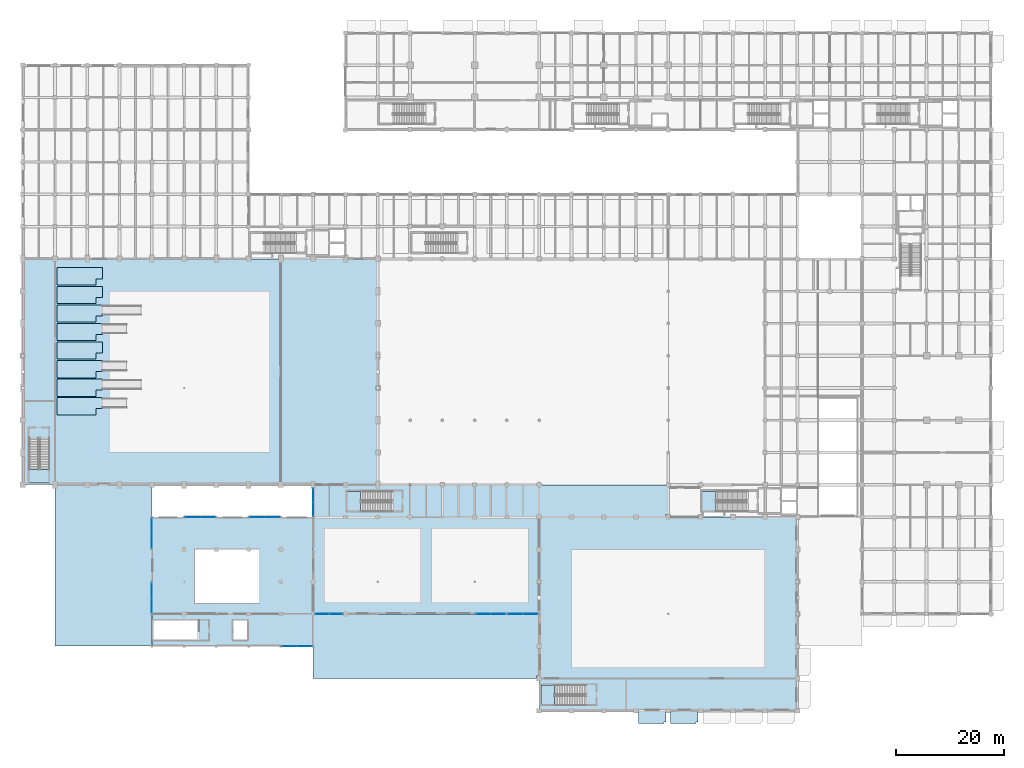
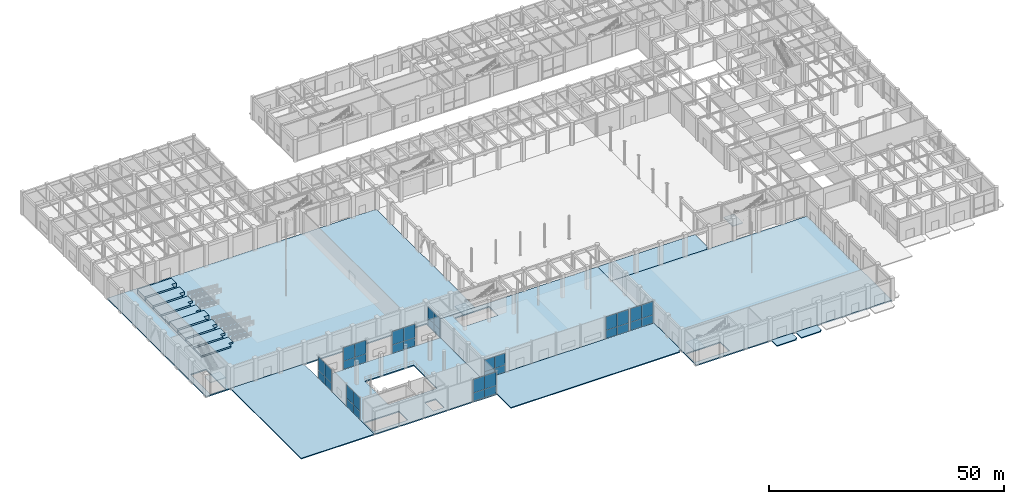
# One storey, part 72 of 106: 36 plates, 21 slabs, 13 elements without a shape of their own.
"""IFC4 building model written with IfcOpenShell, lengths in metres."""

from ifc_helpers import new_model, si_unit, direction, frame, frame_2d, origin, place, context, subcontext, project, spatial, polyline, rectangle, outline, extrude, material, layer, layer_set, type_object, element, aggregate, save


model = new_model("IFC4")

# Units and contexts
model_context = context("Model", 3, precision=1e-05, world=origin(), true_north=direction((0.0, 1.0)))
body_context = subcontext(model_context, "Body", "Model", "MODEL_VIEW")
ifc_project = project(units=[si_unit("LENGTHUNIT", "METRE"), si_unit("AREAUNIT", "SQUARE_METRE"), si_unit("VOLUMEUNIT", "CUBIC_METRE"), si_unit("PLANEANGLEUNIT", "RADIAN"), si_unit("MASSUNIT", "GRAM", prefix="KILO"), si_unit("THERMODYNAMICTEMPERATUREUNIT", "KELVIN"), si_unit("POWERUNIT", "WATT")], contexts=[model_context])

# Site, building, storey
site_placement = place(None, origin())
site = spatial("IfcSite", under=ifc_project, at=site_placement, CompositionType="ELEMENT")
building_placement = place(site_placement, origin())
building = spatial("IfcBuilding", under=site, at=building_placement, Name="Phaisarnlok Congress Hotel", CompositionType="ELEMENT")
storey_placement = place(building_placement, origin())
storey = spatial("IfcBuildingStorey", under=building, at=storey_placement, Name="L00", CompositionType="ELEMENT", Elevation=0.0)

# Curtain wall, plates
ifc_material_1 = material(Name="Thermally Broken Unitised Aluminium & Low-E Glazing", Category="aluminium")
curtain_wall_type_1 = type_object("IfcCurtainWallType", Name="CW-UNIT-01", PredefinedType="NOTDEFINED", material=ifc_material_1)
curtain_wall_1_placement = place(storey_placement, origin())
curtain_wall_1 = element("IfcCurtainWall", 1, at=curtain_wall_1_placement, inside=storey, type_object=curtain_wall_type_1, Name="Unitised curtain wall CW-01 (L00)", PredefinedType="NOTDEFINED")
ifc_material_2 = material(Name="Triple Acoustic Solar-Control Glazing", Category="glass")
ifc_layer_1 = layer(ifc_material_2, 0.035888671875, Name="Triple Acoustic Solar-Control Glazing")
ifc_layer_set_1 = layer_set([ifc_layer_1], Name="Triple Acoustic Solar-Control Glazing")
plate_type = type_object("IfcPlateType", Name="CWP-GLZ-36", PredefinedType="CURTAIN_PANEL", material=ifc_layer_set_1)
plate_1_placement = place(storey_placement, frame((54.449951171875, 18.0, 0.0400390625), z_axis=(0.0, 0.0, 1.0), x_axis=(1.0, 0.0, 0.0)))
plate_1 = element("IfcPlate", 2, at=plate_1_placement, type_object=plate_type, Name="Glazed curtain panel CWP-02", PredefinedType="CURTAIN_PANEL", context=body_context, shape_type="SweptSolid", body=[
    extrude(rectangle(XDim=2.49755859375, YDim=0.028076171875, at=frame_2d((1.248779296875, 0.0))), origin(), (0.0, 0.0, 1.0), 1.86376953125),
])
plate_2_placement = place(storey_placement, frame((54.449951171875, 18.0, 1.90380859375), z_axis=(0.0, 0.0, 1.0), x_axis=(1.0, 0.0, 0.0)))
plate_2 = element("IfcPlate", 3, at=plate_2_placement, type_object=plate_type, Name="Glazed curtain panel CWP-02", PredefinedType="CURTAIN_PANEL", context=body_context, shape_type="SweptSolid", body=[
    extrude(rectangle(XDim=2.49755859375, YDim=0.028076171875, at=frame_2d((1.248779296875, 0.0))), origin(), (0.0, 0.0, 1.0), 3.066162109375),
])
plate_3_placement = place(storey_placement, frame((56.9775390625, 18.0, 0.0400390625), z_axis=(0.0, 0.0, 1.0), x_axis=(1.0, 0.0, 0.0)))
plate_3 = element("IfcPlate", 4, at=plate_3_placement, type_object=plate_type, Name="Glazed curtain panel CWP-02", PredefinedType="CURTAIN_PANEL", context=body_context, shape_type="SweptSolid", body=[
    extrude(rectangle(XDim=2.49755859375, YDim=0.028076171875, at=frame_2d((1.248779296875, 0.0))), origin(), (0.0, 0.0, 1.0), 1.86376953125),
])
plate_4_placement = place(storey_placement, frame((56.9775390625, 18.0, 1.90380859375), z_axis=(0.0, 0.0, 1.0), x_axis=(1.0, 0.0, 0.0)))
plate_4 = element("IfcPlate", 5, at=plate_4_placement, type_object=plate_type, Name="Glazed curtain panel CWP-02", PredefinedType="CURTAIN_PANEL", context=body_context, shape_type="SweptSolid", body=[
    extrude(rectangle(XDim=2.49755859375, YDim=0.028076171875, at=frame_2d((1.248779296875, 0.0))), origin(), (0.0, 0.0, 1.0), 3.066162109375),
])
aggregate(curtain_wall_1, [plate_1, plate_2, plate_3, plate_4])

curtain_wall_type_2 = type_object("IfcCurtainWallType", Name="CW-UNIT-02", PredefinedType="NOTDEFINED", material=ifc_material_1)
curtain_wall_2_placement = place(storey_placement, origin())
curtain_wall_2 = element("IfcCurtainWall", 6, at=curtain_wall_2_placement, inside=storey, type_object=curtain_wall_type_2, Name="Unitised curtain wall CW-02 (L00)", PredefinedType="NOTDEFINED")
plate_5_placement = place(storey_placement, frame((84.228271484375, 18.0, 0.0400390625), z_axis=(0.0, 0.0, 1.0), x_axis=(1.0, 0.0, 0.0)))
plate_5 = element("IfcPlate", 7, at=plate_5_placement, type_object=plate_type, Name="Glazed curtain panel CWP-02", PredefinedType="CURTAIN_PANEL", context=body_context, shape_type="SweptSolid", body=[
    extrude(rectangle(XDim=2.7568359375, YDim=0.028076171875, at=frame_2d((1.37841796875, 0.0))), origin(), (0.0, 0.0, 1.0), 2.14111328125),
])
plate_6_placement = place(storey_placement, frame((84.228271484375, 18.0, 2.18115234375), z_axis=(0.0, 0.0, 1.0), x_axis=(1.0, 0.0, 0.0)))
plate_6 = element("IfcPlate", 8, at=plate_6_placement, type_object=plate_type, Name="Glazed curtain panel CWP-02", PredefinedType="CURTAIN_PANEL", context=body_context, shape_type="SweptSolid", body=[
    extrude(rectangle(XDim=2.7568359375, YDim=0.028076171875, at=frame_2d((1.37841796875, 0.0))), origin(), (0.0, 0.0, 1.0), 3.518798828125),
])
plate_7_placement = place(storey_placement, frame((87.014892578125, 18.0, 0.0400390625), z_axis=(0.0, 0.0, 1.0), x_axis=(1.0, 0.0, 0.0)))
plate_7 = element("IfcPlate", 9, at=plate_7_placement, type_object=plate_type, Name="Glazed curtain panel CWP-02", PredefinedType="CURTAIN_PANEL", context=body_context, shape_type="SweptSolid", body=[
    extrude(rectangle(XDim=2.7568359375, YDim=0.028076171875, at=frame_2d((1.37841796875, 0.0))), origin(), (0.0, 0.0, 1.0), 2.14111328125),
])
plate_8_placement = place(storey_placement, frame((87.014892578125, 18.0, 2.18115234375), z_axis=(0.0, 0.0, 1.0), x_axis=(1.0, 0.0, 0.0)))
plate_8 = element("IfcPlate", 10, at=plate_8_placement, type_object=plate_type, Name="Glazed curtain panel CWP-02", PredefinedType="CURTAIN_PANEL", context=body_context, shape_type="SweptSolid", body=[
    extrude(rectangle(XDim=2.7568359375, YDim=0.028076171875, at=frame_2d((1.37841796875, 0.0))), origin(), (0.0, 0.0, 1.0), 3.518798828125),
])
aggregate(curtain_wall_2, [plate_5, plate_6, plate_7, plate_8])

curtain_wall_3_placement = place(storey_placement, origin())
curtain_wall_3 = element("IfcCurtainWall", 11, at=curtain_wall_3_placement, inside=storey, type_object=curtain_wall_type_2, Name="Unitised curtain wall CW-02 (L00)", PredefinedType="NOTDEFINED")
plate_9_placement = place(storey_placement, frame((90.228271484375, 18.0, 0.0400390625), z_axis=(0.0, 0.0, 1.0), x_axis=(1.0, 0.0, 0.0)))
plate_9 = element("IfcPlate", 12, at=plate_9_placement, type_object=plate_type, Name="Glazed curtain panel CWP-02", PredefinedType="CURTAIN_PANEL", context=body_context, shape_type="SweptSolid", body=[
    extrude(rectangle(XDim=2.7568359375, YDim=0.028076171875, at=frame_2d((1.37841796875, 0.0))), origin(), (0.0, 0.0, 1.0), 2.14111328125),
])
plate_10_placement = place(storey_placement, frame((90.228271484375, 18.0, 2.18115234375), z_axis=(0.0, 0.0, 1.0), x_axis=(1.0, 0.0, 0.0)))
plate_10 = element("IfcPlate", 13, at=plate_10_placement, type_object=plate_type, Name="Glazed curtain panel CWP-02", PredefinedType="CURTAIN_PANEL", context=body_context, shape_type="SweptSolid", body=[
    extrude(rectangle(XDim=2.7568359375, YDim=0.028076171875, at=frame_2d((1.37841796875, 0.0))), origin(), (0.0, 0.0, 1.0), 3.518798828125),
])
plate_11_placement = place(storey_placement, frame((93.014892578125, 18.0, 0.0400390625), z_axis=(0.0, 0.0, 1.0), x_axis=(1.0, 0.0, 0.0)))
plate_11 = element("IfcPlate", 14, at=plate_11_placement, type_object=plate_type, Name="Glazed curtain panel CWP-02", PredefinedType="CURTAIN_PANEL", context=body_context, shape_type="SweptSolid", body=[
    extrude(rectangle(XDim=2.7568359375, YDim=0.028076171875, at=frame_2d((1.37841796875, 0.0))), origin(), (0.0, 0.0, 1.0), 2.14111328125),
])
plate_12_placement = place(storey_placement, frame((93.014892578125, 18.0, 2.18115234375), z_axis=(0.0, 0.0, 1.0), x_axis=(1.0, 0.0, 0.0)))
plate_12 = element("IfcPlate", 15, at=plate_12_placement, type_object=plate_type, Name="Glazed curtain panel CWP-02", PredefinedType="CURTAIN_PANEL", context=body_context, shape_type="SweptSolid", body=[
    extrude(rectangle(XDim=2.7568359375, YDim=0.028076171875, at=frame_2d((1.37841796875, 0.0))), origin(), (0.0, 0.0, 1.0), 3.518798828125),
])
aggregate(curtain_wall_3, [plate_9, plate_10, plate_11, plate_12])

curtain_wall_type_3 = type_object("IfcCurtainWallType", Name="CW-UNIT-06", PredefinedType="NOTDEFINED", material=ifc_material_1)
curtain_wall_4_placement = place(storey_placement, origin())
curtain_wall_4 = element("IfcCurtainWall", 16, at=curtain_wall_4_placement, inside=storey, type_object=curtain_wall_type_3, Name="Unitised curtain wall CW-06 (L00)", PredefinedType="NOTDEFINED")
plate_13_placement = place(storey_placement, frame((54.0, 41.27490234375, 0.0400390625), z_axis=(0.0, 0.0, 1.0), x_axis=(0.0, -1.0, 0.0)))
plate_13 = element("IfcPlate", 17, at=plate_13_placement, type_object=plate_type, Name="Glazed curtain panel CWP-02", PredefinedType="CURTAIN_PANEL", context=body_context, shape_type="SweptSolid", body=[
    extrude(rectangle(XDim=2.52880859375, YDim=0.028076171875, at=frame_2d((1.264404296875, 0.0))), origin(), (0.0, 0.0, 1.0), 1.856201171875),
])
plate_14_placement = place(storey_placement, frame((54.0, 41.27490234375, 1.896240234375), z_axis=(0.0, 0.0, 1.0), x_axis=(0.0, -1.0, 0.0)))
plate_14 = element("IfcPlate", 18, at=plate_14_placement, type_object=plate_type, Name="Glazed curtain panel CWP-02", PredefinedType="CURTAIN_PANEL", context=body_context, shape_type="SweptSolid", body=[
    extrude(rectangle(XDim=2.52880859375, YDim=0.028076171875, at=frame_2d((1.264404296875, 0.0))), origin(), (0.0, 0.0, 1.0), 3.0537109375),
])
plate_15_placement = place(storey_placement, frame((54.0, 38.7158203125, 0.0400390625), z_axis=(0.0, 0.0, 1.0), x_axis=(0.0, -1.0, 0.0)))
plate_15 = element("IfcPlate", 19, at=plate_15_placement, type_object=plate_type, Name="Glazed curtain panel CWP-02", PredefinedType="CURTAIN_PANEL", context=body_context, shape_type="SweptSolid", body=[
    extrude(rectangle(XDim=2.52880859375, YDim=0.028076171875, at=frame_2d((1.264404296875, 0.0))), origin(), (0.0, 0.0, 1.0), 1.856201171875),
])
plate_16_placement = place(storey_placement, frame((54.0, 38.7158203125, 1.896240234375), z_axis=(0.0, 0.0, 1.0), x_axis=(0.0, -1.0, 0.0)))
plate_16 = element("IfcPlate", 20, at=plate_16_placement, type_object=plate_type, Name="Glazed curtain panel CWP-02", PredefinedType="CURTAIN_PANEL", context=body_context, shape_type="SweptSolid", body=[
    extrude(rectangle(XDim=2.52880859375, YDim=0.028076171875, at=frame_2d((1.264404296875, 0.0))), origin(), (0.0, 0.0, 1.0), 3.0537109375),
])
aggregate(curtain_wall_4, [plate_13, plate_14, plate_15, plate_16])

curtain_wall_type_4 = type_object("IfcCurtainWallType", Name="CW-UNIT-07", PredefinedType="NOTDEFINED", material=ifc_material_1)
curtain_wall_5_placement = place(storey_placement, origin())
curtain_wall_5 = element("IfcCurtainWall", 21, at=curtain_wall_5_placement, inside=storey, type_object=curtain_wall_type_4, Name="Unitised curtain wall CW-07 (L00)", PredefinedType="NOTDEFINED")
plate_17_placement = place(storey_placement, frame((47.81298828125, 36.0, 0.0400390625), z_axis=(0.0, 0.0, 1.0), x_axis=(-1.0, 0.0, 0.0)))
plate_17 = element("IfcPlate", 22, at=plate_17_placement, type_object=plate_type, Name="Glazed curtain panel CWP-02", PredefinedType="CURTAIN_PANEL", context=body_context, shape_type="SweptSolid", body=[
    extrude(rectangle(XDim=2.798095703125, YDim=0.028076171875, at=frame_2d((1.39892578125, 0.0))), origin(), (0.0, 0.0, 1.0), 2.14111328125),
])
plate_18_placement = place(storey_placement, frame((47.81298828125, 36.0, 2.18115234375), z_axis=(0.0, 0.0, 1.0), x_axis=(-1.0, 0.0, 0.0)))
plate_18 = element("IfcPlate", 23, at=plate_18_placement, type_object=plate_type, Name="Glazed curtain panel CWP-02", PredefinedType="CURTAIN_PANEL", context=body_context, shape_type="SweptSolid", body=[
    extrude(rectangle(XDim=2.798095703125, YDim=0.028076171875, at=frame_2d((1.39892578125, 0.0))), origin(), (0.0, 0.0, 1.0), 3.518798828125),
])
plate_19_placement = place(storey_placement, frame((44.985107421875, 36.0, 0.0400390625), z_axis=(0.0, 0.0, 1.0), x_axis=(-1.0, 0.0, 0.0)))
plate_19 = element("IfcPlate", 24, at=plate_19_placement, type_object=plate_type, Name="Glazed curtain panel CWP-02", PredefinedType="CURTAIN_PANEL", context=body_context, shape_type="SweptSolid", body=[
    extrude(rectangle(XDim=2.798095703125, YDim=0.028076171875, at=frame_2d((1.39892578125, 0.0))), origin(), (0.0, 0.0, 1.0), 2.14111328125),
])
plate_20_placement = place(storey_placement, frame((44.985107421875, 36.0, 2.18115234375), z_axis=(0.0, 0.0, 1.0), x_axis=(-1.0, 0.0, 0.0)))
plate_20 = element("IfcPlate", 25, at=plate_20_placement, type_object=plate_type, Name="Glazed curtain panel CWP-02", PredefinedType="CURTAIN_PANEL", context=body_context, shape_type="SweptSolid", body=[
    extrude(rectangle(XDim=2.798095703125, YDim=0.028076171875, at=frame_2d((1.39892578125, 0.0))), origin(), (0.0, 0.0, 1.0), 3.518798828125),
])
aggregate(curtain_wall_5, [plate_17, plate_18, plate_19, plate_20])

curtain_wall_6_placement = place(storey_placement, origin())
curtain_wall_6 = element("IfcCurtainWall", 26, at=curtain_wall_6_placement, inside=storey, type_object=curtain_wall_type_4, Name="Unitised curtain wall CW-07 (L00)", PredefinedType="NOTDEFINED")
plate_21_placement = place(storey_placement, frame((35.81298828125, 36.0, 0.0400390625), z_axis=(0.0, 0.0, 1.0), x_axis=(-1.0, 0.0, 0.0)))
plate_21 = element("IfcPlate", 27, at=plate_21_placement, type_object=plate_type, Name="Glazed curtain panel CWP-02", PredefinedType="CURTAIN_PANEL", context=body_context, shape_type="SweptSolid", body=[
    extrude(rectangle(XDim=2.798095703125, YDim=0.028076171875, at=frame_2d((1.39892578125, 0.0))), origin(), (0.0, 0.0, 1.0), 2.14111328125),
])
plate_22_placement = place(storey_placement, frame((35.81298828125, 36.0, 2.18115234375), z_axis=(0.0, 0.0, 1.0), x_axis=(-1.0, 0.0, 0.0)))
plate_22 = element("IfcPlate", 28, at=plate_22_placement, type_object=plate_type, Name="Glazed curtain panel CWP-02", PredefinedType="CURTAIN_PANEL", context=body_context, shape_type="SweptSolid", body=[
    extrude(rectangle(XDim=2.798095703125, YDim=0.028076171875, at=frame_2d((1.39892578125, 0.0))), origin(), (0.0, 0.0, 1.0), 3.518798828125),
])
plate_23_placement = place(storey_placement, frame((32.985107421875, 36.0, 0.0400390625), z_axis=(0.0, 0.0, 1.0), x_axis=(-1.0, 0.0, 0.0)))
plate_23 = element("IfcPlate", 29, at=plate_23_placement, type_object=plate_type, Name="Glazed curtain panel CWP-02", PredefinedType="CURTAIN_PANEL", context=body_context, shape_type="SweptSolid", body=[
    extrude(rectangle(XDim=2.798095703125, YDim=0.028076171875, at=frame_2d((1.39892578125, 0.0))), origin(), (0.0, 0.0, 1.0), 2.14111328125),
])
plate_24_placement = place(storey_placement, frame((32.985107421875, 36.0, 2.18115234375), z_axis=(0.0, 0.0, 1.0), x_axis=(-1.0, 0.0, 0.0)))
plate_24 = element("IfcPlate", 30, at=plate_24_placement, type_object=plate_type, Name="Glazed curtain panel CWP-02", PredefinedType="CURTAIN_PANEL", context=body_context, shape_type="SweptSolid", body=[
    extrude(rectangle(XDim=2.798095703125, YDim=0.028076171875, at=frame_2d((1.39892578125, 0.0))), origin(), (0.0, 0.0, 1.0), 3.518798828125),
])
aggregate(curtain_wall_6, [plate_21, plate_22, plate_23, plate_24])

curtain_wall_7_placement = place(storey_placement, origin())
curtain_wall_7 = element("IfcCurtainWall", 31, at=curtain_wall_7_placement, inside=storey, type_object=curtain_wall_type_4, Name="Unitised curtain wall CW-07 (L00)", PredefinedType="NOTDEFINED")
plate_25_placement = place(storey_placement, frame((24.0, 35.81298828125, 0.0400390625), z_axis=(0.0, 0.0, 1.0), x_axis=(0.0, -1.0, 0.0)))
plate_25 = element("IfcPlate", 32, at=plate_25_placement, type_object=plate_type, Name="Glazed curtain panel CWP-02", PredefinedType="CURTAIN_PANEL", context=body_context, shape_type="SweptSolid", body=[
    extrude(rectangle(XDim=2.798095703125, YDim=0.028076171875, at=frame_2d((1.39892578125, 0.0))), origin(), (0.0, 0.0, 1.0), 2.14111328125),
])
plate_26_placement = place(storey_placement, frame((24.0, 35.81298828125, 2.18115234375), z_axis=(0.0, 0.0, 1.0), x_axis=(0.0, -1.0, 0.0)))
plate_26 = element("IfcPlate", 33, at=plate_26_placement, type_object=plate_type, Name="Glazed curtain panel CWP-02", PredefinedType="CURTAIN_PANEL", context=body_context, shape_type="SweptSolid", body=[
    extrude(rectangle(XDim=2.798095703125, YDim=0.028076171875, at=frame_2d((1.39892578125, 0.0))), origin(), (0.0, 0.0, 1.0), 3.518798828125),
])
plate_27_placement = place(storey_placement, frame((24.0, 32.985107421875, 0.0400390625), z_axis=(0.0, 0.0, 1.0), x_axis=(0.0, -1.0, 0.0)))
plate_27 = element("IfcPlate", 34, at=plate_27_placement, type_object=plate_type, Name="Glazed curtain panel CWP-02", PredefinedType="CURTAIN_PANEL", context=body_context, shape_type="SweptSolid", body=[
    extrude(rectangle(XDim=2.798095703125, YDim=0.028076171875, at=frame_2d((1.39892578125, 0.0))), origin(), (0.0, 0.0, 1.0), 2.14111328125),
])
plate_28_placement = place(storey_placement, frame((24.0, 32.985107421875, 2.18115234375), z_axis=(0.0, 0.0, 1.0), x_axis=(0.0, -1.0, 0.0)))
plate_28 = element("IfcPlate", 35, at=plate_28_placement, type_object=plate_type, Name="Glazed curtain panel CWP-02", PredefinedType="CURTAIN_PANEL", context=body_context, shape_type="SweptSolid", body=[
    extrude(rectangle(XDim=2.798095703125, YDim=0.028076171875, at=frame_2d((1.39892578125, 0.0))), origin(), (0.0, 0.0, 1.0), 3.518798828125),
])
aggregate(curtain_wall_7, [plate_25, plate_26, plate_27, plate_28])

curtain_wall_8_placement = place(storey_placement, origin())
curtain_wall_8 = element("IfcCurtainWall", 36, at=curtain_wall_8_placement, inside=storey, type_object=curtain_wall_type_4, Name="Unitised curtain wall CW-07 (L00)", PredefinedType="NOTDEFINED")
plate_29_placement = place(storey_placement, frame((24.0, 23.81298828125, 0.0400390625), z_axis=(0.0, 0.0, 1.0), x_axis=(0.0, -1.0, 0.0)))
plate_29 = element("IfcPlate", 37, at=plate_29_placement, type_object=plate_type, Name="Glazed curtain panel CWP-02", PredefinedType="CURTAIN_PANEL", context=body_context, shape_type="SweptSolid", body=[
    extrude(rectangle(XDim=2.798095703125, YDim=0.028076171875, at=frame_2d((1.39892578125, 0.0))), origin(), (0.0, 0.0, 1.0), 2.14111328125),
])
plate_30_placement = place(storey_placement, frame((24.0, 23.81298828125, 2.18115234375), z_axis=(0.0, 0.0, 1.0), x_axis=(0.0, -1.0, 0.0)))
plate_30 = element("IfcPlate", 38, at=plate_30_placement, type_object=plate_type, Name="Glazed curtain panel CWP-02", PredefinedType="CURTAIN_PANEL", context=body_context, shape_type="SweptSolid", body=[
    extrude(rectangle(XDim=2.798095703125, YDim=0.028076171875, at=frame_2d((1.39892578125, 0.0))), origin(), (0.0, 0.0, 1.0), 3.518798828125),
])
plate_31_placement = place(storey_placement, frame((24.0, 20.985107421875, 0.0400390625), z_axis=(0.0, 0.0, 1.0), x_axis=(0.0, -1.0, 0.0)))
plate_31 = element("IfcPlate", 39, at=plate_31_placement, type_object=plate_type, Name="Glazed curtain panel CWP-02", PredefinedType="CURTAIN_PANEL", context=body_context, shape_type="SweptSolid", body=[
    extrude(rectangle(XDim=2.798095703125, YDim=0.028076171875, at=frame_2d((1.39892578125, 0.0))), origin(), (0.0, 0.0, 1.0), 2.14111328125),
])
plate_32_placement = place(storey_placement, frame((24.0, 20.985107421875, 2.18115234375), z_axis=(0.0, 0.0, 1.0), x_axis=(0.0, -1.0, 0.0)))
plate_32 = element("IfcPlate", 40, at=plate_32_placement, type_object=plate_type, Name="Glazed curtain panel CWP-02", PredefinedType="CURTAIN_PANEL", context=body_context, shape_type="SweptSolid", body=[
    extrude(rectangle(XDim=2.798095703125, YDim=0.028076171875, at=frame_2d((1.39892578125, 0.0))), origin(), (0.0, 0.0, 1.0), 3.518798828125),
])
aggregate(curtain_wall_8, [plate_29, plate_30, plate_31, plate_32])

curtain_wall_9_placement = place(storey_placement, origin())
curtain_wall_9 = element("IfcCurtainWall", 41, at=curtain_wall_9_placement, inside=storey, type_object=curtain_wall_type_4, Name="Unitised curtain wall CW-07 (L00)", PredefinedType="NOTDEFINED")
plate_33_placement = place(storey_placement, frame((48.18701171875, 12.0, 0.0400390625), z_axis=(0.0, 0.0, 1.0), x_axis=(1.0, 0.0, 0.0)))
plate_33 = element("IfcPlate", 42, at=plate_33_placement, type_object=plate_type, Name="Glazed curtain panel CWP-02", PredefinedType="CURTAIN_PANEL", context=body_context, shape_type="SweptSolid", body=[
    extrude(rectangle(XDim=2.798095703125, YDim=0.028076171875, at=frame_2d((1.39892578125, 0.0))), origin(), (0.0, 0.0, 1.0), 2.14111328125),
])
plate_34_placement = place(storey_placement, frame((48.18701171875, 12.0, 2.18115234375), z_axis=(0.0, 0.0, 1.0), x_axis=(1.0, 0.0, 0.0)))
plate_34 = element("IfcPlate", 43, at=plate_34_placement, type_object=plate_type, Name="Glazed curtain panel CWP-02", PredefinedType="CURTAIN_PANEL", context=body_context, shape_type="SweptSolid", body=[
    extrude(rectangle(XDim=2.798095703125, YDim=0.028076171875, at=frame_2d((1.39892578125, 0.0))), origin(), (0.0, 0.0, 1.0), 3.518798828125),
])
plate_35_placement = place(storey_placement, frame((51.014892578125, 12.0, 0.0400390625), z_axis=(0.0, 0.0, 1.0), x_axis=(1.0, 0.0, 0.0)))
plate_35 = element("IfcPlate", 44, at=plate_35_placement, type_object=plate_type, Name="Glazed curtain panel CWP-02", PredefinedType="CURTAIN_PANEL", context=body_context, shape_type="SweptSolid", body=[
    extrude(rectangle(XDim=2.798095703125, YDim=0.028076171875, at=frame_2d((1.39892578125, 0.0))), origin(), (0.0, 0.0, 1.0), 2.14111328125),
])
plate_36_placement = place(storey_placement, frame((51.014892578125, 12.0, 2.18115234375), z_axis=(0.0, 0.0, 1.0), x_axis=(1.0, 0.0, 0.0)))
plate_36 = element("IfcPlate", 45, at=plate_36_placement, type_object=plate_type, Name="Glazed curtain panel CWP-02", PredefinedType="CURTAIN_PANEL", context=body_context, shape_type="SweptSolid", body=[
    extrude(rectangle(XDim=2.798095703125, YDim=0.028076171875, at=frame_2d((1.39892578125, 0.0))), origin(), (0.0, 0.0, 1.0), 3.518798828125),
])
aggregate(curtain_wall_9, [plate_33, plate_34, plate_35, plate_36])

# Slabs
ifc_material_3 = material(Name="Concrete C40/50", Category="concrete")
ifc_layer_2 = layer(ifc_material_3, 0.300048828125, Name="Concrete C40/50")
ifc_layer_set_2 = layer_set([ifc_layer_2], Name="Concrete C40/50")
slab_type_1 = type_object("IfcSlabType", Name="SLB-INT-300", PredefinedType="FLOOR", material=ifc_layer_set_2)
slab_1_placement = place(storey_placement, frame((0.0, 0.0, -0.300048828125)))
element("IfcSlab", 46, at=slab_1_placement, inside=storey, type_object=slab_type_1, Name="Floor slab SL-INT-300 (L00 v1)", PredefinedType="FLOOR", context=body_context, shape_type="SweptSolid", body=[
    extrude(outline(polyline([(66.0, 42.0), (66.0, 84.0), (0.0, 84.0), (0.0, 42.0), (66.0, 42.0)]), holes=[polyline([(1.199951171875, 50.719970703125), (1.199951171875, 42.300048828125), (5.0, 42.300048828125), (5.0, 50.719970703125), (1.199951171875, 50.719970703125)])]), origin(), (0.0, 0.0, 1.0), 0.300048828125),
])
slab_2_placement = place(storey_placement, frame((0.0, 0.0, -0.300048828125)))
element("IfcSlab", 47, at=slab_2_placement, inside=storey, type_object=slab_type_1, Name="Floor slab SL-INT-300 (L00 v2)", PredefinedType="FLOOR", context=body_context, shape_type="SweptSolid", body=[
    extrude(outline(polyline([(144.0, 0.0), (144.0, 36.0), (96.0, 36.0), (96.0, 0.0), (144.0, 0.0)]), holes=[polyline([(104.719970703125, 4.800048828125), (96.300048828125, 4.800048828125), (96.300048828125, 1.0), (104.719970703125, 1.0), (104.719970703125, 4.800048828125)])]), origin(), (0.0, 0.0, 1.0), 0.300048828125),
])
slab_3_placement = place(storey_placement, frame((0.0, 0.0, -0.300048828125)))
element("IfcSlab", 48, at=slab_3_placement, inside=storey, type_object=slab_type_1, Name="Floor slab SL-INT-300 (L00 v4_s)", PredefinedType="FLOOR", context=body_context, shape_type="SweptSolid", body=[
    extrude(outline(polyline([(96.0, 18.0), (96.0, 42.0), (54.0, 42.0), (54.0, 18.0), (96.0, 18.0)]), holes=[polyline([(68.719970703125, 40.800048828125), (60.300048828125, 40.800048828125), (60.300048828125, 37.0), (68.719970703125, 37.0), (68.719970703125, 40.800048828125)])]), origin(), (0.0, 0.0, 1.0), 0.300048828125),
])
slab_4_placement = place(storey_placement, frame((0.0, 0.0, -0.300048828125)))
element("IfcSlab", 49, at=slab_4_placement, inside=storey, type_object=slab_type_1, Name="Floor slab SL-INT-300 (L00 v6_mrt)", PredefinedType="FLOOR", context=body_context, shape_type="SweptSolid", body=[
    extrude(outline(polyline([(54.0, 12.0), (54.0, 36.0), (24.0, 36.0), (24.0, 12.0), (54.0, 12.0)]), holes=[polyline([(32.0, 20.0), (44.0, 20.0), (44.0, 30.0), (32.0, 30.0), (32.0, 20.0)]), polyline([(32.719970703125, 16.800048828125), (24.300048828125, 16.800048828125), (24.300048828125, 13.0), (32.719970703125, 13.0), (32.719970703125, 16.800048828125)]), polyline([(41.75, 13.199951171875), (41.75, 16.800048828125), (39.10009765625, 16.800048828125), (39.10009765625, 13.199951171875), (41.75, 13.199951171875)])]), origin(), (0.0, 0.0, 1.0), 0.300048828125),
])

# Stair, slab
stair_type = type_object("IfcStairType", Name="STR-DOG-02", PredefinedType="HALF_TURN_STAIR", material=ifc_material_3)
stair_1_placement = place(storey_placement, origin())
stair_1 = element("IfcStair", 50, at=stair_1_placement, inside=storey, type_object=stair_type, Name="L00 ST-02", PredefinedType="HALF_TURN_STAIR")
ifc_layer_3 = layer(ifc_material_3, 0.199951171875, Name="Concrete C40/50")
ifc_layer_set_3 = layer_set([ifc_layer_3], Name="Concrete C40/50")
slab_type_2 = type_object("IfcSlabType", Name="SLB-LND-200", PredefinedType="LANDING", material=ifc_layer_set_3)
slab_5_placement = place(storey_placement, frame((0.0, 0.0, 2.800048828125)))
slab_5 = element("IfcSlab", 51, at=slab_5_placement, type_object=slab_type_2, Name="ST-02 landing 1", PredefinedType="LANDING", context=body_context, shape_type="SweptSolid", body=[
    extrude(outline(polyline([(128.830078125, 40.800048828125), (126.300048828125, 40.800048828125), (126.300048828125, 37.0), (128.830078125, 37.0), (128.830078125, 40.800048828125)])), origin(), (0.0, 0.0, 1.0), 0.199951171875),
])
aggregate(stair_1, [slab_5])

stair_2_placement = place(storey_placement, origin())
stair_2 = element("IfcStair", 52, at=stair_2_placement, inside=storey, type_object=stair_type, Name="L00 ST-03", PredefinedType="HALF_TURN_STAIR")
slab_6_placement = place(storey_placement, frame((0.0, 0.0, 2.800048828125)))
slab_6 = element("IfcSlab", 53, at=slab_6_placement, type_object=slab_type_2, Name="ST-03 landing 1", PredefinedType="LANDING", context=body_context, shape_type="SweptSolid", body=[
    extrude(outline(polyline([(1.199951171875, 44.830078125), (1.199951171875, 42.300048828125), (5.0, 42.300048828125), (5.0, 44.830078125), (1.199951171875, 44.830078125)])), origin(), (0.0, 0.0, 1.0), 0.199951171875),
])
aggregate(stair_2, [slab_6])

stair_3_placement = place(storey_placement, origin())
stair_3 = element("IfcStair", 54, at=stair_3_placement, inside=storey, type_object=stair_type, Name="L00 ST-04", PredefinedType="HALF_TURN_STAIR")
slab_7_placement = place(storey_placement, frame((0.0, 0.0, 2.800048828125)))
slab_7 = element("IfcSlab", 55, at=slab_7_placement, type_object=slab_type_2, Name="ST-04 landing 1", PredefinedType="LANDING", context=body_context, shape_type="SweptSolid", body=[
    extrude(outline(polyline([(98.830078125, 4.800048828125), (96.300048828125, 4.800048828125), (96.300048828125, 1.0), (98.830078125, 1.0), (98.830078125, 4.800048828125)])), origin(), (0.0, 0.0, 1.0), 0.199951171875),
])
aggregate(stair_3, [slab_7])

stair_4_placement = place(storey_placement, origin())
stair_4 = element("IfcStair", 56, at=stair_4_placement, inside=storey, type_object=stair_type, Name="L00 ST-12", PredefinedType="HALF_TURN_STAIR")
slab_8_placement = place(storey_placement, frame((0.0, 0.0, 2.800048828125)))
slab_8 = element("IfcSlab", 57, at=slab_8_placement, type_object=slab_type_2, Name="ST-12 landing 1", PredefinedType="LANDING", context=body_context, shape_type="SweptSolid", body=[
    extrude(outline(polyline([(62.830078125, 40.800048828125), (60.300048828125, 40.800048828125), (60.300048828125, 37.0), (62.830078125, 37.0), (62.830078125, 40.800048828125)])), origin(), (0.0, 0.0, 1.0), 0.199951171875),
])
aggregate(stair_4, [slab_8])

# Slabs
ifc_layer_4 = layer(ifc_material_3, 0.25, Name="Concrete C40/50")
ifc_layer_set_4 = layer_set([ifc_layer_4], Name="Concrete C40/50")
slab_type_3 = type_object("IfcSlabType", Name="SLB-PLAZA-250", PredefinedType="BASESLAB", material=ifc_layer_set_4)
slab_9_placement = place(storey_placement, frame((0.0, 0.0, -0.25)))
element("IfcSlab", 58, at=slab_9_placement, inside=storey, type_object=slab_type_3, Name="Outdoor terrace slab SL-PLZ (L00 plaza_sw)", PredefinedType="BASESLAB", context=body_context, shape_type="SweptSolid", body=[
    extrude(outline(polyline([(6.0, 12.0), (24.0, 12.0), (24.0, 42.0), (6.0, 42.0), (6.0, 12.0)])), origin(), (0.0, 0.0, 1.0), 0.25),
])
slab_10_placement = place(storey_placement, frame((0.0, 0.0, -0.25)))
element("IfcSlab", 59, at=slab_10_placement, inside=storey, type_object=slab_type_3, Name="Outdoor terrace slab SL-PLZ (L00 plaza_s)", PredefinedType="BASESLAB", context=body_context, shape_type="SweptSolid", body=[
    extrude(outline(polyline([(54.0, 6.0), (95.5, 6.0), (95.5, 6.5), (96.0, 6.5), (96.0, 18.0), (54.0, 18.0), (54.0, 6.0)])), origin(), (0.0, 0.0, 1.0), 0.25),
])
slab_11_placement = place(storey_placement, frame((0.0, 0.0, -0.25)))
element("IfcSlab", 60, at=slab_11_placement, inside=storey, type_object=slab_type_3, Name="Outdoor terrace slab SL-PLZ (L00 plaza_se_link)", PredefinedType="BASESLAB", context=body_context, shape_type="SweptSolid", body=[
    extrude(outline(polyline([(96.0, 36.0), (119.5, 36.0), (119.5, 36.5), (120.0, 36.5), (120.0, 42.0), (96.0, 42.0), (96.0, 36.0)])), origin(), (0.0, 0.0, 1.0), 0.25),
])
slab_12_placement = place(storey_placement, frame((0.0, 0.0, -0.25)))
element("IfcSlab", 61, at=slab_12_placement, inside=storey, type_object=slab_type_3, Name="Exit discharge threshold slab (FE-04)", PredefinedType="BASESLAB", context=body_context, shape_type="SweptSolid", body=[
    extrude(outline(polyline([(114.455078125, -2.39990234375), (119.195068359375, -2.39990234375), (119.195068359375, -2.050048828125), (119.544921875, -2.050048828125), (119.544921875, 0.0), (114.455078125, 0.0), (114.455078125, -2.39990234375)])), origin(), (0.0, 0.0, 1.0), 0.25),
])
slab_13_placement = place(storey_placement, frame((0.0, 0.0, -0.25)))
element("IfcSlab", 62, at=slab_13_placement, inside=storey, type_object=slab_type_3, Name="Exit discharge threshold slab (FE-05)", PredefinedType="BASESLAB", context=body_context, shape_type="SweptSolid", body=[
    extrude(outline(polyline([(120.455078125, -2.39990234375), (125.195068359375, -2.39990234375), (125.195068359375, -2.050048828125), (125.544921875, -2.050048828125), (125.544921875, 0.0), (120.455078125, 0.0), (120.455078125, -2.39990234375)])), origin(), (0.0, 0.0, 1.0), 0.25),
])
ifc_layer_5 = layer(ifc_material_3, 0.18994140625, Name="Concrete C40/50")
ifc_layer_set_5 = layer_set([ifc_layer_5], Name="Concrete C40/50")
slab_type_4 = type_object("IfcSlabType", Name="SLB-TIER-190", PredefinedType="USERDEFINED", material=ifc_layer_set_5)
slab_14_placement = place(storey_placement, origin())
element("IfcSlab", 63, at=slab_14_placement, inside=storey, type_object=slab_type_4, Name="Stand Lower Tier Bay 1 (Congress Hall)", ObjectType="SEATING TIER", PredefinedType="USERDEFINED", context=body_context, shape_type="SweptSolid", body=[
    extrude(outline(polyline([(6.39990234375, 55.0), (13.64990234375, 55.0), (13.64990234375, 56.14990234375), (14.800048828125, 56.14990234375), (14.800048828125, 58.199951171875), (6.39990234375, 58.199951171875), (6.39990234375, 55.0)])), origin(), (0.0, 0.0, 1.0), 0.3798828125),
])
slab_15_placement = place(storey_placement, origin())
element("IfcSlab", 64, at=slab_15_placement, inside=storey, type_object=slab_type_4, Name="Stand Lower Tier Bay 2 (Congress Hall)", ObjectType="SEATING TIER", PredefinedType="USERDEFINED", context=body_context, shape_type="SweptSolid", body=[
    extrude(outline(polyline([(6.39990234375, 58.449951171875), (13.64990234375, 58.449951171875), (13.64990234375, 59.60009765625), (14.800048828125, 59.60009765625), (14.800048828125, 61.64990234375), (6.39990234375, 61.64990234375), (6.39990234375, 58.449951171875)])), origin(), (0.0, 0.0, 1.0), 0.60009765625),
])
slab_16_placement = place(storey_placement, origin())
element("IfcSlab", 65, at=slab_16_placement, inside=storey, type_object=slab_type_4, Name="Stand Lower Tier Bay 3 (Congress Hall)", ObjectType="SEATING TIER", PredefinedType="USERDEFINED", context=body_context, shape_type="SweptSolid", body=[
    extrude(outline(polyline([(6.39990234375, 61.89990234375), (13.64990234375, 61.89990234375), (13.64990234375, 63.050048828125), (14.800048828125, 63.050048828125), (14.800048828125, 65.10009765625), (6.39990234375, 65.10009765625), (6.39990234375, 61.89990234375)])), origin(), (0.0, 0.0, 1.0), 0.820068359375),
])
slab_17_placement = place(storey_placement, origin())
element("IfcSlab", 66, at=slab_17_placement, inside=storey, type_object=slab_type_4, Name="Stand Lower Tier Bay 4 (Congress Hall)", ObjectType="SEATING TIER", PredefinedType="USERDEFINED", context=body_context, shape_type="SweptSolid", body=[
    extrude(outline(polyline([(6.39990234375, 65.35009765625), (13.64990234375, 65.35009765625), (13.64990234375, 66.5), (14.800048828125, 66.5), (14.800048828125, 68.550048828125), (6.39990234375, 68.550048828125), (6.39990234375, 65.35009765625)])), origin(), (0.0, 0.0, 1.0), 1.0400390625),
])
slab_18_placement = place(storey_placement, origin())
element("IfcSlab", 67, at=slab_18_placement, inside=storey, type_object=slab_type_4, Name="Stand Lower Tier Bay 5 (Congress Hall)", ObjectType="SEATING TIER", PredefinedType="USERDEFINED", context=body_context, shape_type="SweptSolid", body=[
    extrude(outline(polyline([(6.39990234375, 68.800048828125), (13.64990234375, 68.800048828125), (13.64990234375, 69.949951171875), (14.800048828125, 69.949951171875), (14.800048828125, 72.0), (6.39990234375, 72.0), (6.39990234375, 68.800048828125)])), origin(), (0.0, 0.0, 1.0), 0.3798828125),
])
slab_19_placement = place(storey_placement, origin())
element("IfcSlab", 68, at=slab_19_placement, inside=storey, type_object=slab_type_4, Name="Stand Lower Tier Bay 6 (Congress Hall)", ObjectType="SEATING TIER", PredefinedType="USERDEFINED", context=body_context, shape_type="SweptSolid", body=[
    extrude(outline(polyline([(6.39990234375, 72.25), (13.64990234375, 72.25), (13.64990234375, 73.39990234375), (14.800048828125, 73.39990234375), (14.800048828125, 75.449951171875), (6.39990234375, 75.449951171875), (6.39990234375, 72.25)])), origin(), (0.0, 0.0, 1.0), 0.60009765625),
])
slab_20_placement = place(storey_placement, origin())
element("IfcSlab", 69, at=slab_20_placement, inside=storey, type_object=slab_type_4, Name="Stand Lower Tier Bay 7 (Congress Hall)", ObjectType="SEATING TIER", PredefinedType="USERDEFINED", context=body_context, shape_type="SweptSolid", body=[
    extrude(outline(polyline([(6.39990234375, 75.699951171875), (13.64990234375, 75.699951171875), (13.64990234375, 76.85009765625), (14.800048828125, 76.85009765625), (14.800048828125, 78.89990234375), (6.39990234375, 78.89990234375), (6.39990234375, 75.699951171875)])), origin(), (0.0, 0.0, 1.0), 0.820068359375),
])
slab_21_placement = place(storey_placement, origin())
element("IfcSlab", 70, at=slab_21_placement, inside=storey, type_object=slab_type_4, Name="Stand Lower Tier Bay 8 (Congress Hall)", ObjectType="SEATING TIER", PredefinedType="USERDEFINED", context=body_context, shape_type="SweptSolid", body=[
    extrude(outline(polyline([(6.39990234375, 79.14990234375), (13.64990234375, 79.14990234375), (13.64990234375, 80.300048828125), (14.800048828125, 80.300048828125), (14.800048828125, 82.35009765625), (6.39990234375, 82.35009765625), (6.39990234375, 79.14990234375)])), origin(), (0.0, 0.0, 1.0), 1.0400390625),
])

save(model, "model.ifc")
